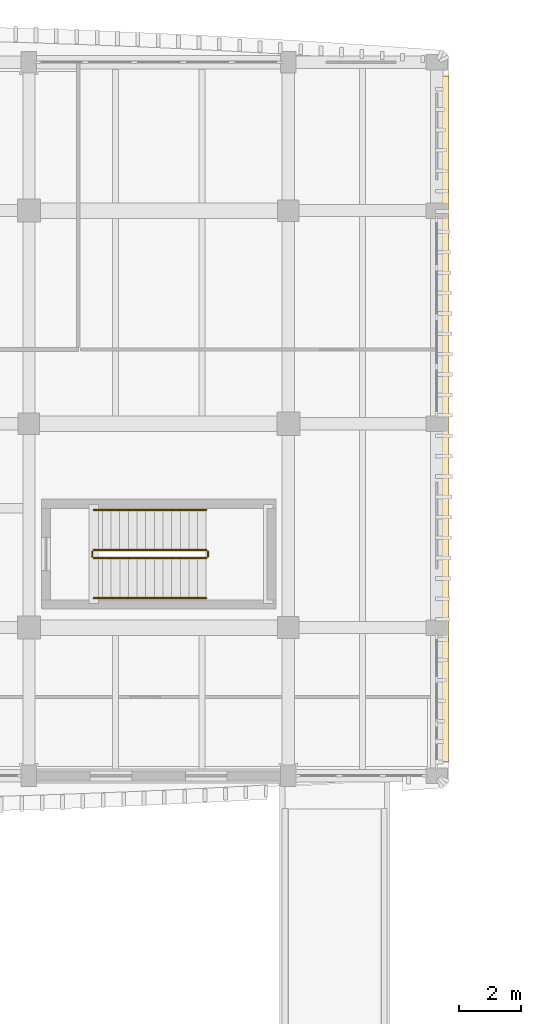
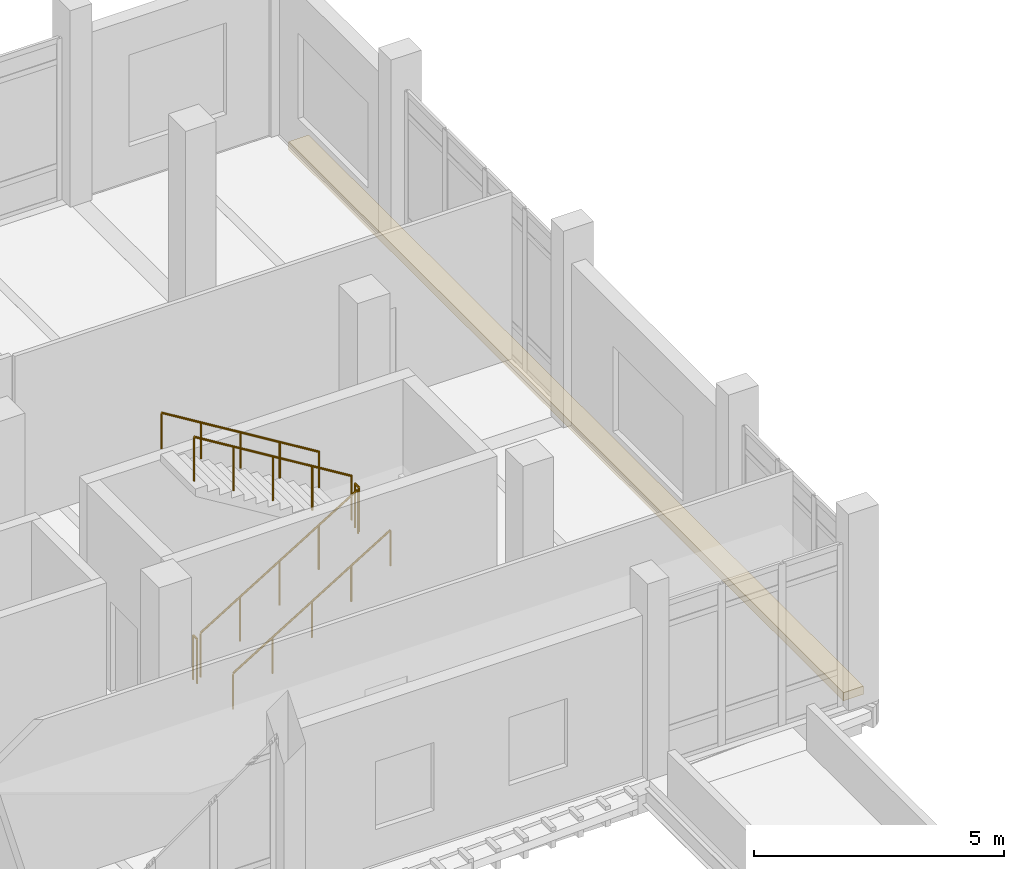
# One storey, part 64 of 76: 6 railings, 1 covering.
"""IFC4 building model written with IfcOpenShell, lengths in metres."""

from ifc_helpers import new_model, si_unit, direction, frame, origin, origin_2d, place, context, subcontext, project, spatial, polyline, circle, outline, extrude, material, layer, layer_set, type_object, element, save


model = new_model("IFC4")

# Units and contexts
model_context = context("Model", 3, precision=1e-05, world=origin(), true_north=direction((0.0, 1.0)))
body_context = subcontext(model_context, "Body", "Model", "MODEL_VIEW")
ifc_project = project(units=[si_unit("LENGTHUNIT", "METRE"), si_unit("AREAUNIT", "SQUARE_METRE"), si_unit("VOLUMEUNIT", "CUBIC_METRE"), si_unit("PLANEANGLEUNIT", "RADIAN"), si_unit("MASSUNIT", "GRAM", prefix="KILO")], contexts=[model_context])

# Site, building, storey
site_placement = place(None, origin())
site = spatial("IfcSite", under=ifc_project, at=site_placement, CompositionType="ELEMENT")
building_placement = place(site_placement, origin())
building = spatial("IfcBuilding", under=site, at=building_placement, Name="Dornvale Research Institute", CompositionType="ELEMENT")
storey_placement = place(building_placement, frame((0.0, 0.0, 15.0)))
storey = spatial("IfcBuildingStorey", under=building, at=storey_placement, Name="L03", CompositionType="ELEMENT", Elevation=15.0)

# Covering
ifc_material_1 = material(Name="Polychrome Glazed Terracotta Visor Rib Ceramic", Category="masonry")
ifc_layer_1 = layer(ifc_material_1, 0.199951171875)
ifc_layer_set_1 = layer_set([ifc_layer_1], Name="Polychrome Glazed Terracotta Visor Rib Ceramic")
covering_type = type_object("IfcCoveringType", Name="Covering_VisorBrim_Shelf", PredefinedType="CLADDING", material=ifc_layer_set_1)
covering_placement = place(storey_placement, frame((0.0, 0.0, -0.280029296875)))
element("IfcCovering", 1, at=covering_placement, inside=storey, type_object=covering_type, Name="L03 V5 canted bowed-brim visor hood #17", PredefinedType="CLADDING", context=body_context, shape_type="SweptSolid", body=[
    extrude(outline(polyline([(46.603271484375, 99.449951171875), (46.139892578125, 99.449951171875), (46.139892578125, 121.64990234375), (46.603271484375, 121.64990234375), (46.603271484375, 99.449951171875)])), origin(), (0.0, 0.0, 1.0), 0.199951171875),
])

# Railings
ifc_material_2 = material(Name="Galvanized Painted Tubular Steel Stair Rail", Category="steel")
ifc_layer_2 = layer(ifc_material_2, 0.050048828125)
ifc_layer_set_2 = layer_set([ifc_layer_2], Name="Galvanized Painted Tubular Steel Stair Rail")
railing_type_1 = type_object("IfcRailingType", Name="Railing_Stair_Guard_1100", PredefinedType="GUARDRAIL", material=ifc_layer_set_2)
railing_1_placement = place(storey_placement, frame((35.10009765625, 106.050048828125, 0.17138671875)))
element("IfcRailing", 2, at=railing_1_placement, inside=storey, type_object=railing_type_1, Name="L03 ST-2 stair guard 1", PredefinedType="GUARDRAIL", context=body_context, shape_type="SweptSolid", body=[
    extrude(circle(Radius=0.02392578125, at=origin_2d()), frame((0.0, 0.0, 1.076171875), z_axis=(0.852850264322, 0.0, 0.5221555579), x_axis=(0.0, 1.0, 0.0)), (0.0, 0.0, 1.0), 4.267822265625),
    extrude(circle(Radius=0.02099609375, at=origin_2d()), origin(), (0.0, 0.0, 1.0), 1.052001953125),
    extrude(circle(Radius=0.02099609375, at=origin_2d()), frame((0.909912109375, 0.0, 0.55712890625)), (0.0, 0.0, 1.0), 1.052001953125),
    extrude(circle(Radius=0.02099609375, at=origin_2d()), frame((1.81982421875, 0.0, 1.1142578125)), (0.0, 0.0, 1.0), 1.052001953125),
    extrude(circle(Radius=0.02099609375, at=origin_2d()), frame((2.72998046875, 0.0, 1.67138671875)), (0.0, 0.0, 1.0), 1.052001953125),
    extrude(circle(Radius=0.02099609375, at=origin_2d()), frame((3.639892578125, 0.0, 2.228515625)), (0.0, 0.0, 1.0), 1.052001953125),
])
railing_2_placement = place(storey_placement, frame((38.7900390625, 106.10009765625, 2.39990234375)))
element("IfcRailing", 3, at=railing_2_placement, inside=storey, type_object=railing_type_1, Name="L03 ST-2 stair guard 2", PredefinedType="GUARDRAIL", context=body_context, shape_type="SweptSolid", body=[
    extrude(circle(Radius=0.02392578125, at=origin_2d()), frame((0.0, 0.0, 1.076171875), z_axis=(0.0, 1.0, 0.0), x_axis=(-1.0, 0.0, 0.0)), (0.0, 0.0, 1.0), 0.159912109375),
    extrude(circle(Radius=0.02099609375, at=origin_2d()), origin(), (0.0, 0.0, 1.0), 1.052001953125),
    extrude(circle(Radius=0.02099609375, at=origin_2d()), frame((0.0, 0.159912109375, 0.0)), (0.0, 0.0, 1.0), 1.052001953125),
])
railing_3_placement = place(storey_placement, frame((38.739990234375, 106.31005859375, 2.571533203125)))
element("IfcRailing", 4, at=railing_3_placement, inside=storey, type_object=railing_type_1, Name="L03 ST-2 stair guard 3", PredefinedType="GUARDRAIL", context=body_context, shape_type="SweptSolid", body=[
    extrude(circle(Radius=0.02392578125, at=origin_2d()), frame((0.0, 0.0, 1.076171875), z_axis=(-0.852850264322, 0.0, 0.5221555579), x_axis=(0.0, -1.0, 0.0)), (0.0, 0.0, 1.0), 4.267822265625),
    extrude(circle(Radius=0.02099609375, at=origin_2d()), origin(), (0.0, 0.0, 1.0), 1.052001953125),
    extrude(circle(Radius=0.02099609375, at=origin_2d()), frame((-0.909912109375, 0.0, 0.55712890625)), (0.0, 0.0, 1.0), 1.052001953125),
    extrude(circle(Radius=0.02099609375, at=origin_2d()), frame((-1.81982421875, 0.0, 1.1142578125)), (0.0, 0.0, 1.0), 1.052001953125),
    extrude(circle(Radius=0.02099609375, at=origin_2d()), frame((-2.72998046875, 0.0, 1.67138671875)), (0.0, 0.0, 1.0), 1.052001953125),
    extrude(circle(Radius=0.02099609375, at=origin_2d()), frame((-3.639892578125, 0.0, 2.228515625)), (0.0, 0.0, 1.0), 1.052001953125),
])
railing_4_placement = place(storey_placement, frame((35.050048828125, 106.10009765625, 0.0)))
element("IfcRailing", 5, at=railing_4_placement, inside=storey, type_object=railing_type_1, Name="L03 ST-2 stair guard 4", PredefinedType="GUARDRAIL", context=body_context, shape_type="SweptSolid", body=[
    extrude(circle(Radius=0.02392578125, at=origin_2d()), frame((0.0, 0.0, 1.076171875), z_axis=(0.0, 1.0, 0.0), x_axis=(-1.0, 0.0, 0.0)), (0.0, 0.0, 1.0), 0.159912109375),
    extrude(circle(Radius=0.02099609375, at=origin_2d()), origin(), (0.0, 0.0, 1.0), 1.052001953125),
    extrude(circle(Radius=0.02099609375, at=origin_2d()), frame((0.0, 0.159912109375, 0.0)), (0.0, 0.0, 1.0), 1.052001953125),
])
ifc_material_3 = material(Name="Galvanized Painted Tubular Steel Stair Rail", Category="steel")
ifc_layer_3 = layer(ifc_material_3, 0.044921875)
ifc_layer_set_3 = layer_set([ifc_layer_3], Name="Galvanized Painted Tubular Steel Stair Rail")
railing_type_2 = type_object("IfcRailingType", Name="Railing_Stair_Handrail_900", PredefinedType="HANDRAIL", material=ifc_layer_set_3)
railing_5_placement = place(storey_placement, frame((35.10009765625, 104.75, 0.17138671875)))
element("IfcRailing", 6, at=railing_5_placement, inside=storey, type_object=railing_type_2, Name="L03 ST-2 stair handrail 1", PredefinedType="HANDRAIL", context=body_context, shape_type="SweptSolid", body=[
    extrude(circle(Radius=0.02392578125, at=origin_2d()), frame((0.0, 0.0, 0.8759765625), z_axis=(0.852850264322, 0.0, 0.5221555579), x_axis=(0.0, 1.0, 0.0)), (0.0, 0.0, 1.0), 4.267822265625),
    extrude(circle(Radius=0.02099609375, at=origin_2d()), origin(), (0.0, 0.0, 1.0), 0.851806640625),
    extrude(circle(Radius=0.02099609375, at=origin_2d()), frame((0.909912109375, 0.0, 0.55712890625)), (0.0, 0.0, 1.0), 0.851806640625),
    extrude(circle(Radius=0.02099609375, at=origin_2d()), frame((1.81982421875, 0.0, 1.1142578125)), (0.0, 0.0, 1.0), 0.851806640625),
    extrude(circle(Radius=0.02099609375, at=origin_2d()), frame((2.72998046875, 0.0, 1.67138671875)), (0.0, 0.0, 1.0), 0.851806640625),
    extrude(circle(Radius=0.02099609375, at=origin_2d()), frame((3.639892578125, 0.0, 2.228515625)), (0.0, 0.0, 1.0), 0.851806640625),
])
railing_6_placement = place(storey_placement, frame((38.739990234375, 107.610107421875, 2.571533203125)))
element("IfcRailing", 7, at=railing_6_placement, inside=storey, type_object=railing_type_2, Name="L03 ST-2 stair handrail 2", PredefinedType="HANDRAIL", context=body_context, shape_type="SweptSolid", body=[
    extrude(circle(Radius=0.02392578125, at=origin_2d()), frame((0.0, 0.0, 0.8759765625), z_axis=(-0.852850264322, 0.0, 0.5221555579), x_axis=(0.0, -1.0, 0.0)), (0.0, 0.0, 1.0), 4.267822265625),
    extrude(circle(Radius=0.02099609375, at=origin_2d()), origin(), (0.0, 0.0, 1.0), 0.851806640625),
    extrude(circle(Radius=0.02099609375, at=origin_2d()), frame((-0.909912109375, 0.0, 0.55712890625)), (0.0, 0.0, 1.0), 0.851806640625),
    extrude(circle(Radius=0.02099609375, at=origin_2d()), frame((-1.81982421875, 0.0, 1.1142578125)), (0.0, 0.0, 1.0), 0.851806640625),
    extrude(circle(Radius=0.02099609375, at=origin_2d()), frame((-2.72998046875, 0.0, 1.67138671875)), (0.0, 0.0, 1.0), 0.851806640625),
    extrude(circle(Radius=0.02099609375, at=origin_2d()), frame((-3.639892578125, 0.0, 2.228515625)), (0.0, 0.0, 1.0), 0.851806640625),
])

save(model, "model.ifc")
